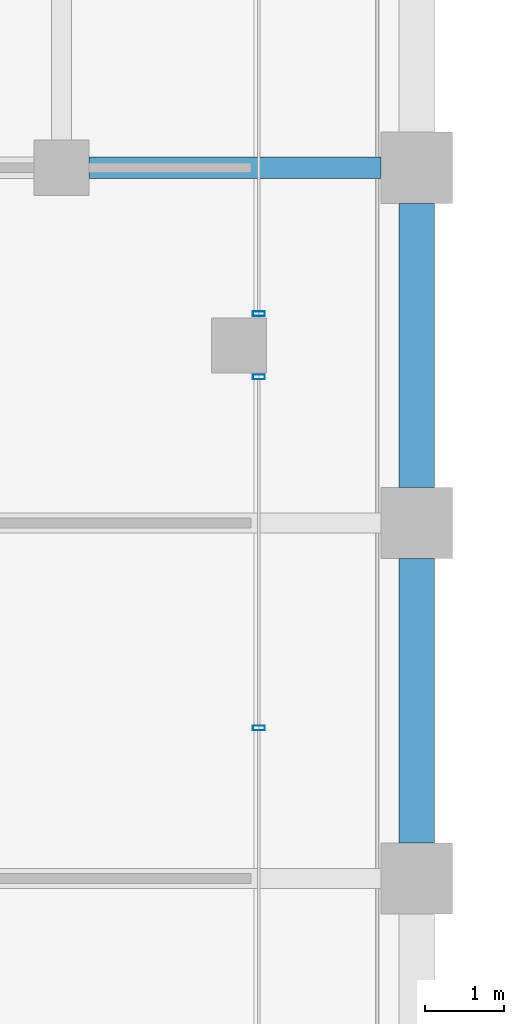
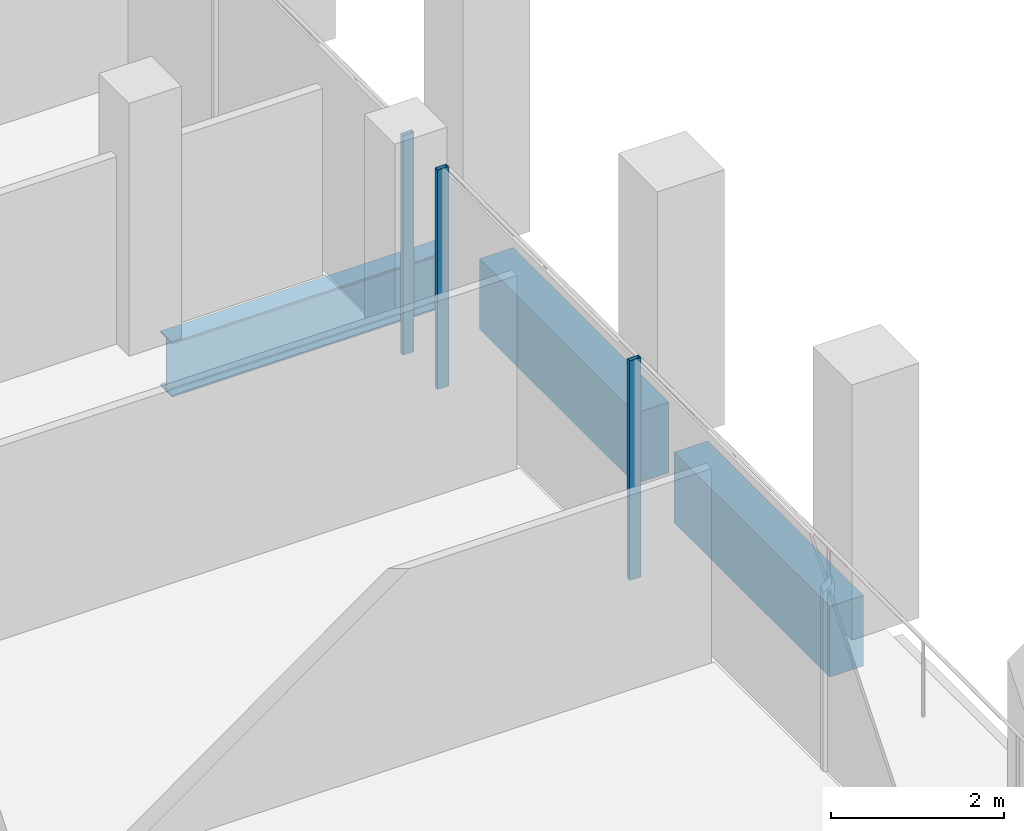
# One storey, part 19 of 40: 3 beams, 3 members, 2 elements without a shape of their own.
"""IFC4 building model written with IfcOpenShell, lengths in metres."""

from ifc_helpers import new_model, si_unit, direction, frame, origin, origin_2d, place, context, subcontext, project, spatial, rectangle, hollow_rectangle, i_section, extrude, material, material_profile, profile_set, type_object, element, aggregate, save


model = new_model("IFC4")

# Units and contexts
model_context = context("Model", 3, precision=1e-05, world=origin(), true_north=direction((0.0, 1.0)))
body_context = subcontext(model_context, "Body", "Model", "MODEL_VIEW")
ifc_project = project(units=[si_unit("LENGTHUNIT", "METRE"), si_unit("AREAUNIT", "SQUARE_METRE"), si_unit("VOLUMEUNIT", "CUBIC_METRE"), si_unit("PLANEANGLEUNIT", "RADIAN"), si_unit("MASSUNIT", "GRAM", prefix="KILO")], contexts=[model_context])

# Site, building, storey
site_placement = place(None, origin())
site = spatial("IfcSite", under=ifc_project, at=site_placement, CompositionType="ELEMENT")
building_placement = place(site_placement, origin())
building = spatial("IfcBuilding", under=site, at=building_placement, Name="Altepetl Exchange Towers", CompositionType="ELEMENT")
storey_placement = place(building_placement, frame((0.0, 0.0, 179.800048828125)))
storey = spatial("IfcBuildingStorey", under=building, at=storey_placement, Name="L45", CompositionType="ELEMENT", Elevation=179.800048828125)

# Beam
ifc_material_1 = material(Name="Steel S355", Category="steel")
ifc_material_profile_1 = material_profile(ifc_material_1, i_section(OverallWidth=0.26806640625, OverallDepth=0.77392578125, WebThickness=0.015380859375, FlangeThickness=0.025390625, at=origin_2d()), Name="W30X132")
ifc_profile_set_1 = profile_set([ifc_material_profile_1], Name="Steel S355")
beam_type_1 = type_object("IfcBeamType", Name="Girder W30X132", PredefinedType="BEAM", material=ifc_profile_set_1)
beam_placement = place(storey_placement, frame((67.85009765625, 58.5, -0.537109375), z_axis=(1.0, 0.0, 0.0), x_axis=(0.0, 1.0, 0.0)))
element("IfcBeam", 1, at=beam_placement, inside=storey, type_object=beam_type_1, Name="gd:A:L45:002", PredefinedType="BEAM", context=body_context, shape_type="SweptSolid", body=[
    extrude(i_section(OverallWidth=0.26806640625, OverallDepth=0.77392578125, WebThickness=0.015380859375, FlangeThickness=0.025390625, at=origin_2d()), origin(), (0.0, 0.0, 1.0), 3.699951171875),
])

# Curtain wall, members
ifc_material_2 = material(Name="Aluminium 6063-T6 glazing", Category="aluminium")
curtain_wall_type = type_object("IfcCurtainWallType", Name="Loggia glazing system", PredefinedType="NOTDEFINED", material=ifc_material_2)
curtain_wall_1_placement = place(storey_placement, origin())
curtain_wall_1 = element("IfcCurtainWall", 2, at=curtain_wall_1_placement, inside=storey, type_object=curtain_wall_type, Name="CW1 run", PredefinedType="NOTDEFINED")
ifc_material_3 = material(Name="Aluminium 6063-T6", Category="aluminium")
ifc_material_profile_2 = material_profile(ifc_material_3, hollow_rectangle(XDim=0.06005859375, YDim=0.14990234375, WallThickness=0.0029296875, at=origin_2d()), Name="Mullion 60x150 aluminium")
ifc_profile_set_2 = profile_set([ifc_material_profile_2], Name="Aluminium 6063-T6")
member_type = type_object("IfcMemberType", Name="Mullion 60x150 aluminium", PredefinedType="MULLION", material=ifc_profile_set_2)
member_1_placement = place(storey_placement, frame((70.0, 51.404052734375, 0.0), z_axis=(0.0, 0.0, 1.0), x_axis=(0.0, 1.0, 0.0)))
member_1 = element("IfcMember", 3, at=member_1_placement, type_object=member_type, Name="MU1 mullion", PredefinedType="MULLION", context=body_context, shape_type="SweptSolid", body=[
    extrude(hollow_rectangle(XDim=0.06005859375, YDim=0.14990234375, WallThickness=0.0029296875, at=origin_2d()), origin(), (0.0, 0.0, 1.0), 3.099853515625),
])
member_2_placement = place(storey_placement, frame((70.0, 55.85009765625, 0.0), z_axis=(0.0, 0.0, 1.0), x_axis=(0.0, 1.0, 0.0)))
member_2 = element("IfcMember", 4, at=member_2_placement, type_object=member_type, Name="MU1 mullion", PredefinedType="MULLION", context=body_context, shape_type="SweptSolid", body=[
    extrude(hollow_rectangle(XDim=0.06005859375, YDim=0.14990234375, WallThickness=0.0029296875, at=origin_2d()), origin(), (0.0, 0.0, 1.0), 3.099853515625),
])
aggregate(curtain_wall_1, [member_1, member_2])

# Curtain wall, member
curtain_wall_2_placement = place(storey_placement, origin())
curtain_wall_2 = element("IfcCurtainWall", 5, at=curtain_wall_2_placement, inside=storey, type_object=curtain_wall_type, Name="CW1 run", PredefinedType="NOTDEFINED")
member_3_placement = place(storey_placement, frame((70.0, 56.64990234375, 0.0), z_axis=(0.0, 0.0, 1.0), x_axis=(0.0, 1.0, 0.0)))
member_3 = element("IfcMember", 6, at=member_3_placement, type_object=member_type, Name="MU1 mullion", PredefinedType="MULLION", context=body_context, shape_type="SweptSolid", body=[
    extrude(hollow_rectangle(XDim=0.06005859375, YDim=0.14990234375, WallThickness=0.0029296875, at=origin_2d()), origin(), (0.0, 0.0, 1.0), 3.099853515625),
])
aggregate(curtain_wall_2, [member_3])

# Beams
ifc_material_4 = material(Name="Concrete C50/60 precast with cantera amarilla facing", Category="concrete")
ifc_material_profile_3 = material_profile(ifc_material_4, rectangle(XDim=0.449951171875, YDim=1.0, at=origin_2d()), Name="450 x 1000")
ifc_profile_set_3 = profile_set([ifc_material_profile_3], Name="Concrete C50/60 precast with cantera amarilla facing")
beam_type_2 = type_object("IfcBeamType", Name="Spandrel beam 450x1000 cantera amarilla", PredefinedType="SPANDREL", material=ifc_profile_set_3)
for number, where, z_axis, x_axis, name in (
    (7, (72.0, 49.949951171875, -0.650146484375), (0.0, 1.0, 0.0), (-1.0, 0.0, 0.0), "sp:A:L45:016"),
    (8, (72.0, 54.449951171875, -0.650146484375), (0.0, 1.0, 0.0), (-1.0, 0.0, 0.0), "sp:A:L45:017"),
):
    element("IfcBeam", number, at=place(storey_placement, frame(where, z_axis=z_axis, x_axis=x_axis)), inside=storey, type_object=beam_type_2, Name=name, PredefinedType="SPANDREL", context=body_context, shape_type="SweptSolid", body=[
        extrude(rectangle(XDim=0.449951171875, YDim=1.0, at=origin_2d()), origin(), (0.0, 0.0, 1.0), 3.60009765625),
    ])

save(model, "model.ifc")
